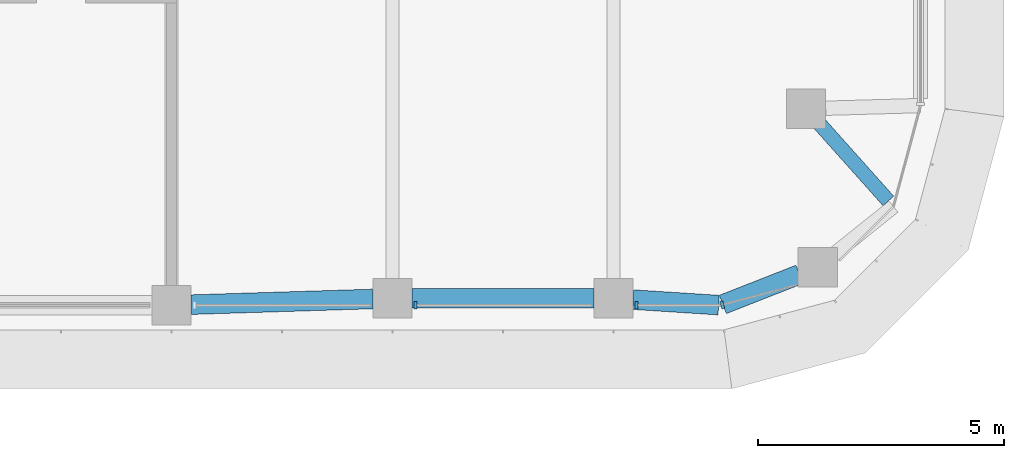
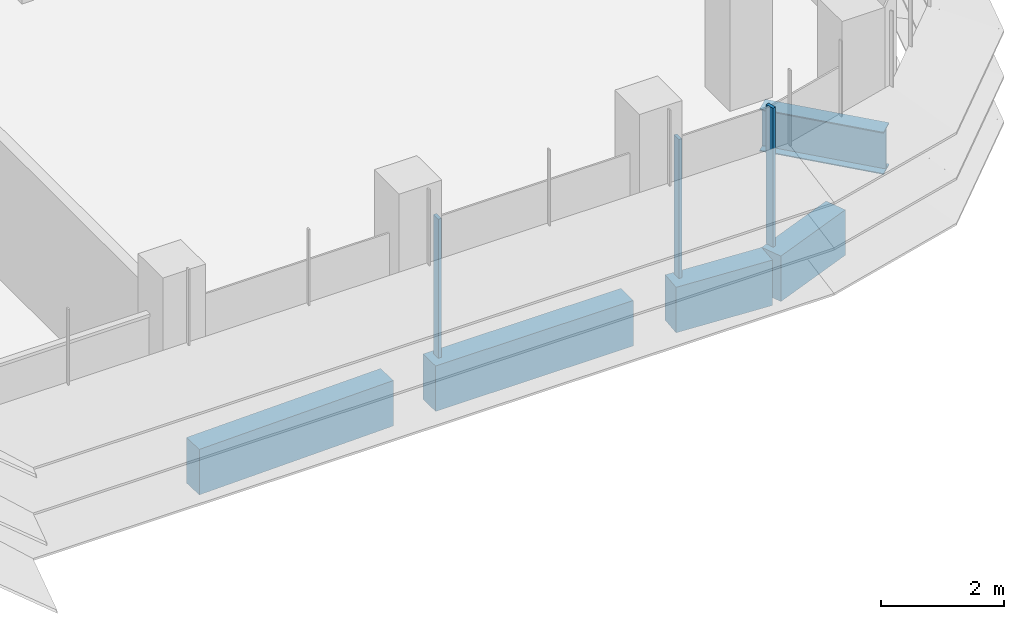
# One storey, part 5 of 20: 5 beams, 3 members, 2 elements without a shape of their own.
"""IFC4 building model written with IfcOpenShell, lengths in metres."""

from ifc_helpers import new_model, si_unit, direction, frame, origin, origin_2d, place, context, subcontext, project, spatial, polyline, rectangle, i_section, outline, extrude, source, transform, mapped, material, material_profile, profile_set, type_object, element, aggregate, save


model = new_model("IFC4")

# Units and contexts
model_context = context("Model", 3, precision=1e-05, world=origin(), true_north=direction((0.0, 1.0)))
body_context = subcontext(model_context, "Body", "Model", "MODEL_VIEW")
ifc_project = project(units=[si_unit("LENGTHUNIT", "METRE"), si_unit("AREAUNIT", "SQUARE_METRE"), si_unit("VOLUMEUNIT", "CUBIC_METRE"), si_unit("PLANEANGLEUNIT", "RADIAN"), si_unit("MASSUNIT", "GRAM", prefix="KILO")], contexts=[model_context])

# Site, building, storey
site_placement = place(None, origin())
site = spatial("IfcSite", under=ifc_project, at=site_placement, CompositionType="ELEMENT")
building_placement = place(site_placement, origin())
building = spatial("IfcBuilding", under=site, at=building_placement, Name="Zarbagh Exchange Tower", CompositionType="ELEMENT")
storey_placement = place(building_placement, frame((0.0, 0.0, 144.800048828125)))
storey = spatial("IfcBuildingStorey", under=building, at=storey_placement, Name="L34", CompositionType="ELEMENT", Elevation=144.800048828125)

# Beams
ifc_material_1 = material(Name="Steel ASTM A992 Gr 50", Category="steel")
ifc_material_profile_1 = material_profile(ifc_material_1, i_section(OverallWidth=0.2919921875, OverallDepth=0.835693359375, WebThickness=0.013916015625, FlangeThickness=0.018798828125, at=origin_2d()), Name="W33X118")
ifc_profile_set_1 = profile_set([ifc_material_profile_1], Name="Steel ASTM A992 Gr 50")
beam_type_1 = type_object("IfcBeamType", Name="Floor girder W33X118", PredefinedType="BEAM", material=ifc_profile_set_1)
beam_1_placement = place(storey_placement, frame((28.9365234375, -2.54833984375, -0.56787109375), z_axis=(0.666238158503, -0.745739040251, 0.0), x_axis=(0.745739040251, 0.666238158503, 0.0)))
element("IfcBeam", 1, at=beam_1_placement, inside=storey, type_object=beam_type_1, Name="Steel girder", PredefinedType="BEAM", context=body_context, shape_type="SweptSolid", body=[
    extrude(i_section(OverallWidth=0.2919921875, OverallDepth=0.835693359375, WebThickness=0.013916015625, FlangeThickness=0.018798828125, at=origin_2d()), origin(), (0.0, 0.0, 1.0), 2.115966796875),
])
ifc_material_2 = material(Name="Concrete C50/60", Category="concrete")
ifc_material_profile_2 = material_profile(ifc_material_2, rectangle(XDim=0.39990234375, YDim=0.89990234375, at=origin_2d()), Name="RC spandrel beam 400 x 900 C50/60")
ifc_profile_set_2 = profile_set([ifc_material_profile_2], Name="Concrete C50/60")
beam_type_2 = type_object("IfcBeamType", Name="RC spandrel beam 400 x 900 C50/60", PredefinedType="SPANDREL", material=ifc_profile_set_2)
beam_2_placement = place(storey_placement, frame((28.53564453125, -5.62109375, -0.60009765625), z_axis=(-0.930818758612, -0.36548110569, 0.0), x_axis=(0.36548110569, -0.930818758612, 0.0)))
element("IfcBeam", 2, at=beam_2_placement, inside=storey, type_object=beam_type_2, Name="RC spandrel beam", PredefinedType="SPANDREL", context=body_context, shape_type="SweptSolid", body=[
    extrude(rectangle(XDim=0.39990234375, YDim=0.89990234375, at=origin_2d()), origin(), (0.0, 0.0, 1.0), 1.676025390625),
])
beam_3_placement = place(storey_placement, frame((26.8896484375, -6.247314453125, -0.60009765625), z_axis=(-0.997942679773, 0.064112462805, 0.0), x_axis=(-0.064112462805, -0.997942679773, 0.0)))
element("IfcBeam", 3, at=beam_3_placement, inside=storey, type_object=beam_type_2, Name="RC spandrel beam", PredefinedType="SPANDREL", context=body_context, shape_type="SweptSolid", body=[
    extrude(rectangle(XDim=0.39990234375, YDim=0.89990234375, at=origin_2d()), origin(), (0.0, 0.0, 1.0), 1.744140625),
])
beam_4_placement = place(storey_placement, frame((24.35009765625, -6.110107421875, -0.60009765625), z_axis=(-1.0, 0.0, 0.0), x_axis=(0.0, -1.0, 0.0)))
element("IfcBeam", 4, at=beam_4_placement, inside=storey, type_object=beam_type_2, Name="RC spandrel beam", PredefinedType="SPANDREL", context=body_context, shape_type="SweptSolid", body=[
    extrude(rectangle(XDim=0.39990234375, YDim=0.89990234375, at=origin_2d()), origin(), (0.0, 0.0, 1.0), 3.7001953125),
])
beam_5_placement = place(storey_placement, frame((19.85009765625, -6.122314453125, -0.60009765625), z_axis=(-0.999515416033, -0.031127690444, 0.0), x_axis=(0.031127690444, -0.999515416033, 0.0)))
element("IfcBeam", 5, at=beam_5_placement, inside=storey, type_object=beam_type_2, Name="RC spandrel beam", PredefinedType="SPANDREL", context=body_context, shape_type="SweptSolid", body=[
    extrude(rectangle(XDim=0.39990234375, YDim=0.89990234375, at=origin_2d()), origin(), (0.0, 0.0, 1.0), 3.701904296875),
])

# Curtain wall, members
ifc_material_3 = material(Name="Anodised aluminium frame and glazing", Category="aluminium")
curtain_wall_type = type_object("IfcCurtainWallType", Name="CWB Ribbon glazing, upper zones", PredefinedType="NOTDEFINED", material=ifc_material_3)
curtain_wall_1_placement = place(storey_placement, origin())
curtain_wall_1 = element("IfcCurtainWall", 6, at=curtain_wall_1_placement, inside=storey, type_object=curtain_wall_type, Name="CWB08 curtain wall", PredefinedType="NOTDEFINED")
ifc_material_4 = material(Name="Anodised aluminium frame", Category="aluminium")
member_type = type_object("IfcMemberType", Name="MUB Mullion, anodised aluminium frame", PredefinedType="MULLION", material=ifc_material_4)
shared_shape = source(origin(), body_context, "Body", "SweptSolid", [
    extrude(outline(polyline([(0.0, -0.080078125), (0.06005859375, -0.080078125), (0.06005859375, 0.080078125), (0.0, 0.080078125), (0.0, -0.080078125)])), origin(), (0.0, 0.0, 1.0), 2.75),
])
placement = place(storey_placement, origin())
member_1 = element("IfcMember", 7, at=placement, type_object=member_type, Name="CWB08 mullion 3.1", PredefinedType="MULLION", context=body_context, shape_type="MappedRepresentation", body=[
    mapped(shared_shape, transform((20.68994140625, -6.25, 0.0), x_axis=(1.0, 0.0, 0.0), y_axis=(0.0, 1.0, 0.0), z_axis=(0.0, 0.0, 1.0))),
])
member_2 = element("IfcMember", 8, at=placement, type_object=member_type, Name="CWB08 mullion 4.1", PredefinedType="MULLION", context=body_context, shape_type="MappedRepresentation", body=[
    mapped(shared_shape, transform((25.18994140625, -6.25, 0.0), x_axis=(1.0, 0.0, 0.0), y_axis=(0.0, 1.0, 0.0), z_axis=(0.0, 0.0, 1.0))),
])
aggregate(curtain_wall_1, [member_1, member_2])

# Curtain wall, member
curtain_wall_2_placement = place(storey_placement, origin())
curtain_wall_2 = element("IfcCurtainWall", 9, at=curtain_wall_2_placement, inside=storey, type_object=curtain_wall_type, Name="CWB09 curtain wall", PredefinedType="NOTDEFINED")
member_3 = element("IfcMember", 10, at=placement, type_object=member_type, Name="CWB09 mullion 1.1", PredefinedType="MULLION", context=body_context, shape_type="MappedRepresentation", body=[
    mapped(shared_shape, transform((26.93408203125, -6.25, 0.0), x_axis=(0.965924289636, 0.258824779902, 0.0), y_axis=(-0.258824779902, 0.965924289636, 0.0), z_axis=(0.0, 0.0, 1.0))),
])
aggregate(curtain_wall_2, [member_3])

save(model, "model.ifc")
